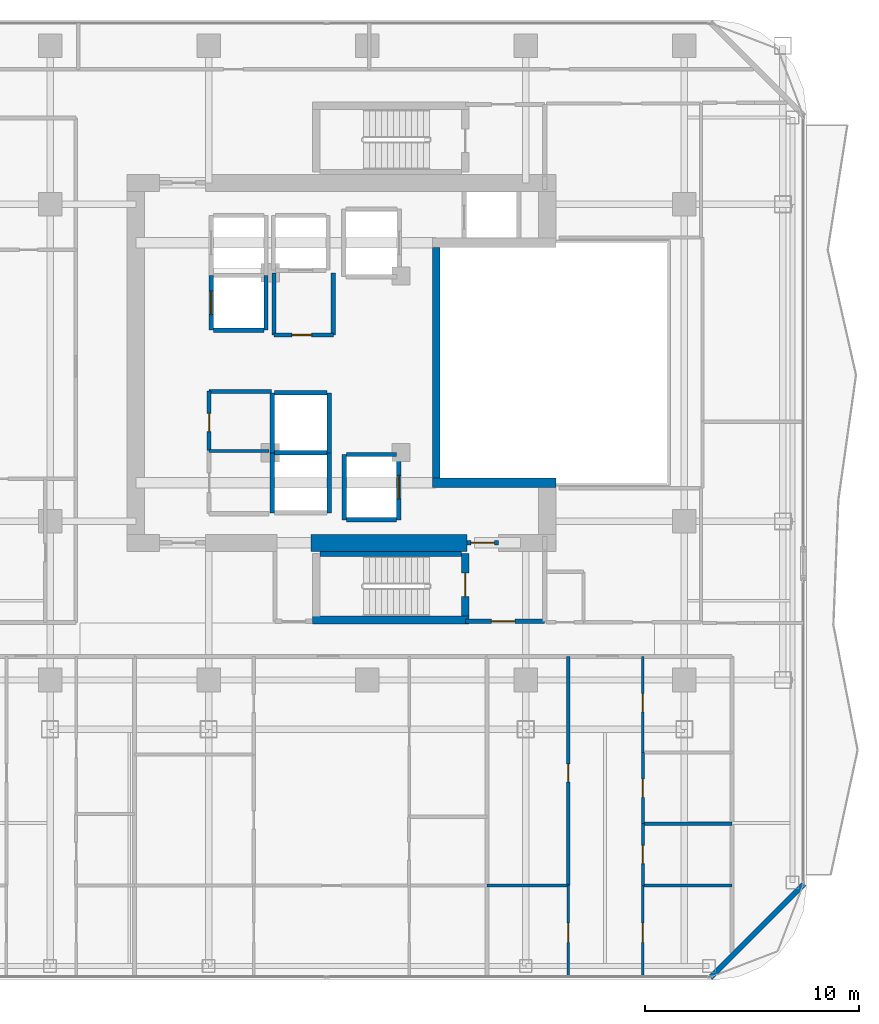
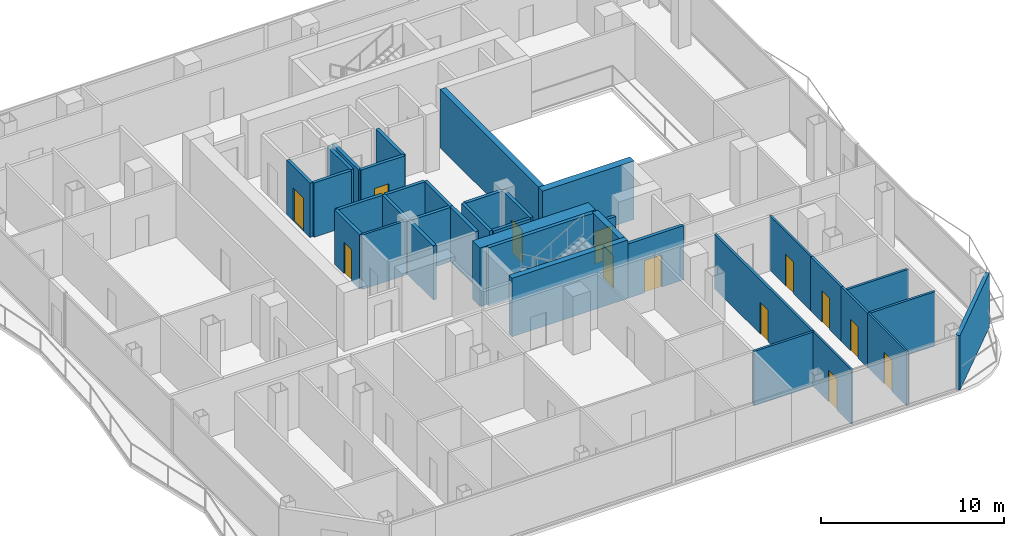
# One storey, part 18 of 23: 37 walls, 13 doors, 13 openings.
"""IFC4 building model written with IfcOpenShell, lengths in metres."""

from ifc_helpers import new_model, si_unit, direction, frame, frame_2d, origin, place, context, subcontext, project, spatial, rectangle, extrude, material, layer, layer_set, type_object, element, fill, save


model = new_model("IFC4")

# Units and contexts
model_context = context("Model", 3, precision=1e-05, world=origin(), true_north=direction((0.0, 1.0)))
body_context = subcontext(model_context, "Body", "Model", "MODEL_VIEW")
ifc_project = project(units=[si_unit("LENGTHUNIT", "METRE"), si_unit("AREAUNIT", "SQUARE_METRE"), si_unit("VOLUMEUNIT", "CUBIC_METRE"), si_unit("PLANEANGLEUNIT", "RADIAN"), si_unit("MASSUNIT", "GRAM", prefix="KILO")], contexts=[model_context])

# Site, building, storey
site_placement = place(None, origin())
site = spatial("IfcSite", under=ifc_project, at=site_placement, CompositionType="ELEMENT")
building_placement = place(site_placement, origin())
building = spatial("IfcBuilding", under=site, at=building_placement, Name="Khorvyn Point Tower", CompositionType="ELEMENT")
storey_placement = place(building_placement, frame((0.0, 0.0, 207.0)))
storey = spatial("IfcBuildingStorey", under=building, at=storey_placement, Name="L51", CompositionType="ELEMENT", Elevation=207.0)

# Walls
ifc_material_1 = material(Name="Pale anodised aluminium rainscreen on steel stud", Category="steel")
ifc_layer_1 = layer(ifc_material_1, 0.239990234375)
ifc_layer_set_1 = layer_set([ifc_layer_1], Name="Anodised Aluminium Insulated Corner Spandrel Wall 240")
wall_type_1 = type_object("IfcWallType", Name="Anodised Aluminium Insulated Corner Spandrel Wall 240", PredefinedType="SOLIDWALL", material=ifc_layer_set_1)
wall_1_placement = place(storey_placement, frame((20.392333984375, -24.3076171875, 0.0), z_axis=(0.0, 0.0, 1.0), x_axis=(-0.707106781187, -0.707106781187, 0.0)))
element("IfcWall", 1, at=wall_1_placement, inside=storey, type_object=wall_type_1, Name="L51 Rounded Corner Wall SE", PredefinedType="SOLIDWALL", context=body_context, shape_type="SweptSolid", body=[
    extrude(rectangle(XDim=6.200927734375, YDim=0.239990234375, at=frame_2d((3.1005859375, 0.0))), origin(), (0.0, 0.0, 1.0), 3.6201171875),
])
ifc_material_2 = material(Name="Concrete C40/50", Category="concrete")
ifc_layer_2 = layer(ifc_material_2, 0.449951171875)
ifc_layer_set_2 = layer_set([ifc_layer_2], Name="Concrete C40/50 Core Shear Wall 450")
wall_type_2 = type_object("IfcWallType", Name="Concrete C40/50 Core Shear Wall 450", PredefinedType="SHEAR", material=ifc_layer_set_2)
wall_2_placement = place(storey_placement, frame((3.044921875, -5.60009765625, 0.0), z_axis=(0.0, 0.0, 1.0), x_axis=(1.0, 0.0, 0.0)))
element("IfcWall", 2, at=wall_2_placement, inside=storey, type_object=wall_type_2, Name="Wall", PredefinedType="SHEAR", context=body_context, shape_type="SweptSolid", body=[
    extrude(rectangle(XDim=5.755126953125, YDim=0.449951171875, at=frame_2d((2.87744140625, 0.0))), origin(), (0.0, 0.0, 1.0), 3.89990234375),
])

# Wall, opening, door
ifc_layer_3 = layer(ifc_material_2, 0.199951171875)
ifc_layer_set_3 = layer_set([ifc_layer_3], Name="Concrete C40/50 Fire-Lobby Compartment Wall 200")
wall_type_3 = type_object("IfcWallType", Name="Concrete C40/50 Fire-Lobby Compartment Wall 200", PredefinedType="SOLIDWALL", material=ifc_layer_set_3)
wall_3_placement = place(storey_placement, frame((4.580078125, -12.06005859375, 0.0), z_axis=(0.0, 0.0, 1.0), x_axis=(1.0, 0.0, 0.0)))
wall_3 = element("IfcWall", 3, at=wall_3_placement, inside=storey, type_object=wall_type_3, Name="Wall", PredefinedType="SOLIDWALL", context=body_context, shape_type="SweptSolid", body=[
    extrude(rectangle(XDim=3.699951171875, YDim=0.199951171875, at=frame_2d((1.85009765625, 0.0))), origin(), (0.0, 0.0, 1.0), 3.6201171875),
])
opening_1_placement = place(wall_3_placement, frame((1.21240234375, 0.0, 0.0)))
opening_1 = element("IfcOpeningElement", 4, at=opening_1_placement, cuts=wall_3, Name="Opening ID-FL90", PredefinedType="OPENING", context=body_context, shape_type="SweptSolid", body=[
    extrude(rectangle(XDim=1.10009765625, YDim=2.14990234375, at=frame_2d((0.550048828125, 1.074951171875))), frame((0.0, 0.10986328125, 0.0), z_axis=(0.0, -1.0, 0.0), x_axis=(1.0, 0.0, 0.0)), (0.0, 0.0, 1.0), 0.219970703125),
])
ifc_material_3 = material(Name="Galvanised powder-coated steel", Category="steel")
door_type_1 = type_object("IfcDoorType", Name="Fire-Rated Steel Lobby and Stair Door 1100x2150", OperationType="NOTDEFINED", PredefinedType="DOOR", material=ifc_material_3)
door_1_placement = place(opening_1_placement, origin())
door_1 = element("IfcDoor", 5, at=door_1_placement, inside=storey, type_object=door_type_1, Name="Door", OperationType="SINGLE_SWING_LEFT", OverallHeight=2.14990234375, OverallWidth=1.10009765625, PredefinedType="DOOR", context=body_context, shape_type="SweptSolid", body=[
    extrude(rectangle(XDim=1.10009765625, YDim=2.14990234375, at=frame_2d((0.550048828125, 1.074951171875))), frame((0.0, 0.02490234375, 0.0), z_axis=(0.0, -1.0, 0.0), x_axis=(1.0, 0.0, 0.0)), (0.0, 0.0, 1.0), 0.050048828125),
])
fill(opening_1, door_1)

wall_4_placement = place(storey_placement, frame((4.64990234375, -8.39990234375, 0.0), z_axis=(0.0, 0.0, 1.0), x_axis=(1.0, 0.0, 0.0)))
wall_4 = element("IfcWall", 6, at=wall_4_placement, inside=storey, type_object=wall_type_3, Name="Wall", PredefinedType="SOLIDWALL", context=body_context, shape_type="SweptSolid", body=[
    extrude(rectangle(XDim=1.47021484375, YDim=0.199951171875, at=frame_2d((0.735107421875, 0.0))), origin(), (0.0, 0.0, 1.0), 2.760009765625),
])
opening_2_placement = place(wall_4_placement, frame((0.18505859375, 0.0, 0.0)))
opening_2 = element("IfcOpeningElement", 7, at=opening_2_placement, cuts=wall_4, Name="Opening ID-FL90", PredefinedType="OPENING", context=body_context, shape_type="SweptSolid", body=[
    extrude(rectangle(XDim=1.10009765625, YDim=2.14990234375, at=frame_2d((0.550048828125, 1.074951171875))), frame((0.0, 0.10986328125, 0.0), z_axis=(0.0, -1.0, 0.0), x_axis=(1.0, 0.0, 0.0)), (0.0, 0.0, 1.0), 0.219970703125),
])
door_2_placement = place(opening_2_placement, origin())
door_2 = element("IfcDoor", 8, at=door_2_placement, inside=storey, type_object=door_type_1, Name="Door", OperationType="SINGLE_SWING_RIGHT", OverallHeight=2.14990234375, OverallWidth=1.10009765625, PredefinedType="DOOR", context=body_context, shape_type="SweptSolid", body=[
    extrude(rectangle(XDim=1.10009765625, YDim=2.14990234375, at=frame_2d((0.550048828125, 1.074951171875))), frame((0.0, 0.02490234375, 0.0), z_axis=(0.0, -1.0, 0.0), x_axis=(1.0, 0.0, 0.0)), (0.0, 0.0, 1.0), 0.050048828125),
])
fill(opening_2, door_2)

wall_5_placement = place(storey_placement, frame((-7.3798828125, -4.080078125, 0.0), z_axis=(0.0, 0.0, 1.0), x_axis=(0.0, 1.0, 0.0)))
wall_5 = element("IfcWall", 9, at=wall_5_placement, inside=storey, type_object=wall_type_3, Name="Wall", PredefinedType="SOLIDWALL", context=body_context, shape_type="SweptSolid", body=[
    extrude(rectangle(XDim=2.760009765625, YDim=0.199951171875, at=frame_2d((1.3798828125, 0.0))), origin(), (0.0, 0.0, 1.0), 3.6201171875),
])
opening_3_placement = place(wall_5_placement, frame((0.86669921875, 0.0, 0.0)))
opening_3 = element("IfcOpeningElement", 10, at=opening_3_placement, cuts=wall_5, Name="Opening ID-WC85", PredefinedType="OPENING", context=body_context, shape_type="SweptSolid", body=[
    extrude(rectangle(XDim=0.85009765625, YDim=2.10009765625, at=frame_2d((0.425048828125, 1.050048828125))), frame((0.0, 0.10986328125, 0.0), z_axis=(0.0, -1.0, 0.0), x_axis=(1.0, 0.0, 0.0)), (0.0, 0.0, 1.0), 0.219970703125),
])
ifc_material_4 = material(Name="High-pressure laminate on moisture-resistant core", Category="wood")
door_type_2 = type_object("IfcDoorType", Name="Moisture-Resistant Accessible Washroom Door 850x2100", OperationType="NOTDEFINED", PredefinedType="DOOR", material=ifc_material_4)
door_3_placement = place(opening_3_placement, origin())
door_3 = element("IfcDoor", 11, at=door_3_placement, inside=storey, type_object=door_type_2, Name="Door", OperationType="SINGLE_SWING_RIGHT", OverallHeight=2.10009765625, OverallWidth=0.85009765625, PredefinedType="DOOR", context=body_context, shape_type="SweptSolid", body=[
    extrude(rectangle(XDim=0.85009765625, YDim=2.10009765625, at=frame_2d((0.425048828125, 1.050048828125))), frame((0.0, 0.02490234375, 0.0), z_axis=(0.0, -1.0, 0.0), x_axis=(1.0, 0.0, 0.0)), (0.0, 0.0, 1.0), 0.050048828125),
])
fill(opening_3, door_3)

wall_6_placement = place(storey_placement, frame((-4.35009765625, 1.300048828125, 0.0), z_axis=(0.0, 0.0, 1.0), x_axis=(1.0, 0.0, 0.0)))
wall_6 = element("IfcWall", 12, at=wall_6_placement, inside=storey, type_object=wall_type_3, Name="Wall", PredefinedType="SOLIDWALL", context=body_context, shape_type="SweptSolid", body=[
    extrude(rectangle(XDim=2.77001953125, YDim=0.199951171875, at=frame_2d((1.385009765625, 0.0))), origin(), (0.0, 0.0, 1.0), 3.6201171875),
])
opening_4_placement = place(wall_6_placement, frame((0.840087890625, 0.0, 0.0)))
opening_4 = element("IfcOpeningElement", 13, at=opening_4_placement, cuts=wall_6, Name="Opening ID-RS60", PredefinedType="OPENING", context=body_context, shape_type="SweptSolid", body=[
    extrude(rectangle(XDim=0.919921875, YDim=2.10009765625, at=frame_2d((0.4599609375, 1.050048828125))), frame((0.0, 0.10986328125, 0.0), z_axis=(0.0, -1.0, 0.0), x_axis=(1.0, 0.0, 0.0)), (0.0, 0.0, 1.0), 0.219970703125),
])
door_type_3 = type_object("IfcDoorType", Name="Fire-Rated Riser and Store Steel Door 920x2100", OperationType="NOTDEFINED", PredefinedType="DOOR", material=ifc_material_3)
door_4_placement = place(opening_4_placement, origin())
door_4 = element("IfcDoor", 14, at=door_4_placement, inside=storey, type_object=door_type_3, Name="Door", OperationType="SINGLE_SWING_LEFT", OverallHeight=2.10009765625, OverallWidth=0.919921875, PredefinedType="DOOR", context=body_context, shape_type="SweptSolid", body=[
    extrude(rectangle(XDim=0.919921875, YDim=2.10009765625, at=frame_2d((0.4599609375, 1.050048828125))), frame((0.0, 0.02490234375, 0.0), z_axis=(0.0, -1.0, 0.0), x_axis=(1.0, 0.0, 0.0)), (0.0, 0.0, 1.0), 0.050048828125),
])
fill(opening_4, door_4)

# Walls
wall_7_placement = place(storey_placement, frame((-7.3798828125, -1.340087890625, 0.0), z_axis=(0.0, 0.0, 1.0), x_axis=(1.0, 0.0, 0.0)))
element("IfcWall", 15, at=wall_7_placement, inside=storey, type_object=wall_type_3, Name="Wall", PredefinedType="SOLIDWALL", context=body_context, shape_type="SweptSolid", body=[
    extrude(rectangle(XDim=2.909912109375, YDim=0.199951171875, at=frame_2d((1.455078125, 0.0))), origin(), (0.0, 0.0, 1.0), 3.6201171875),
])
for number, where, z_axis, x_axis, name in (
    (16, (-4.35009765625, 1.300048828125, 0.0), (0.0, 0.0, 1.0), (0.0, 1.0, 0.0), "Wall"),
    (17, (-1.580078125, 1.300048828125, 0.0), (0.0, 0.0, 1.0), (0.0, 1.0, 0.0), "Wall"),
):
    element("IfcWall", number, at=place(storey_placement, frame(where, z_axis=z_axis, x_axis=x_axis)), inside=storey, type_object=wall_type_3, Name=name, PredefinedType="SOLIDWALL", context=body_context, shape_type="SweptSolid", body=[
        extrude(rectangle(XDim=2.89990234375, YDim=0.199951171875, at=frame_2d((1.449951171875, 0.0))), origin(), (0.0, 0.0, 1.0), 3.6201171875),
    ])
ifc_layer_4 = layer(ifc_material_2, 0.25)
ifc_layer_set_4 = layer_set([ifc_layer_4], Name="Concrete C40/50 Stair Inner Cheek Structural Wall 250")
wall_type_4 = type_object("IfcWallType", Name="Concrete C40/50 Stair Inner Cheek Structural Wall 250", PredefinedType="SHEAR", material=ifc_layer_set_4)
wall_8_placement = place(storey_placement, frame((-2.199951171875, -8.91259765625, 0.0), z_axis=(0.0, 0.0, 1.0), x_axis=(1.0, 0.0, 0.0)))
element("IfcWall", 18, at=wall_8_placement, inside=storey, type_object=wall_type_4, Name="Wall", PredefinedType="SHEAR", context=body_context, shape_type="SweptSolid", body=[
    extrude(rectangle(XDim=6.599853515625, YDim=0.22509765625, at=frame_2d((3.2998046875, 0.0))), origin(), (0.0, 0.0, 1.0), 3.89990234375),
])
ifc_layer_5 = layer(ifc_material_2, 0.35009765625)
ifc_layer_set_5 = layer_set([ifc_layer_5], Name="Concrete C40/50 Stair Shaft Structural Wall 350")
wall_type_5 = type_object("IfcWallType", Name="Concrete C40/50 Stair Shaft Structural Wall 350", PredefinedType="SHEAR", material=ifc_layer_set_5)
wall_9_placement = place(storey_placement, frame((3.219970703125, -5.375, 0.0), z_axis=(0.0, 0.0, 1.0), x_axis=(0.0, 1.0, 0.0)))
element("IfcWall", 19, at=wall_9_placement, inside=storey, type_object=wall_type_5, Name="Wall", PredefinedType="SHEAR", context=body_context, shape_type="SweptSolid", body=[
    extrude(rectangle(XDim=10.75, YDim=0.35009765625, at=frame_2d((5.375, 0.0))), origin(), (0.0, 0.0, 1.0), 3.89990234375),
])
wall_10_placement = place(storey_placement, frame((-2.554931640625, -12.0, 0.0), z_axis=(0.0, 0.0, 1.0), x_axis=(1.0, 0.0, 0.0)))
element("IfcWall", 20, at=wall_10_placement, inside=storey, type_object=wall_type_5, Name="L51 ST-01 South Shaft Wall", PredefinedType="SHEAR", context=body_context, shape_type="SweptSolid", body=[
    extrude(rectangle(XDim=7.309814453125, YDim=0.35009765625, at=frame_2d((3.65478515625, 0.0))), origin(), (0.0, 0.0, 1.0), 3.89990234375),
])

# Wall, opening, door
wall_11_placement = place(storey_placement, frame((4.580078125, -8.89990234375, 0.0), z_axis=(0.0, 0.0, 1.0), x_axis=(0.0, -1.0, 0.0)))
wall_11 = element("IfcWall", 21, at=wall_11_placement, inside=storey, type_object=wall_type_5, Name="L51 ST-01 East Landing Door Wall", PredefinedType="SHEAR", context=body_context, shape_type="SweptSolid", body=[
    extrude(rectangle(XDim=2.925048828125, YDim=0.35009765625, at=frame_2d((1.46240234375, 0.0))), origin(), (0.0, 0.0, 1.0), 3.89990234375),
])
opening_5_placement = place(wall_11_placement, frame((0.91259765625, 0.0, 0.0)))
opening_5 = element("IfcOpeningElement", 22, at=opening_5_placement, cuts=wall_11, Name="Opening ID-FL90", PredefinedType="OPENING", context=body_context, shape_type="SweptSolid", body=[
    extrude(rectangle(XDim=1.10009765625, YDim=2.14990234375, at=frame_2d((0.550048828125, 1.074951171875))), frame((0.0, 0.18505859375, 0.0), z_axis=(0.0, -1.0, 0.0), x_axis=(1.0, 0.0, 0.0)), (0.0, 0.0, 1.0), 0.3701171875),
])
door_5_placement = place(opening_5_placement, origin())
door_5 = element("IfcDoor", 23, at=door_5_placement, inside=storey, type_object=door_type_1, Name="L51 ST-01 Smokeproof Landing Door", OperationType="SINGLE_SWING_LEFT", OverallHeight=2.14990234375, OverallWidth=1.10009765625, PredefinedType="DOOR", context=body_context, shape_type="SweptSolid", body=[
    extrude(rectangle(XDim=1.10009765625, YDim=2.14990234375, at=frame_2d((0.550048828125, 1.074951171875))), frame((0.0, 0.02490234375, 0.0), z_axis=(0.0, -1.0, 0.0), x_axis=(1.0, 0.0, 0.0)), (0.0, 0.0, 1.0), 0.050048828125),
])
fill(opening_5, door_5)

ifc_layer_6 = layer(ifc_material_2, 0.199951171875)
ifc_layer_set_6 = layer_set([ifc_layer_6], Name="Concrete C40/50 Structural Hoistway and Stair Shaft Wall 200")
wall_type_6 = type_object("IfcWallType", Name="Concrete C40/50 Structural Hoistway and Stair Shaft Wall 200", PredefinedType="SHEAR", material=ifc_layer_set_6)
wall_12_placement = place(storey_placement, frame((-7.27490234375, 1.52490234375, 0.0), z_axis=(0.0, 0.0, 1.0), x_axis=(0.0, 1.0, 0.0)))
wall_12 = element("IfcWall", 24, at=wall_12_placement, inside=storey, type_object=wall_type_6, Name="Wall", PredefinedType="SHEAR", context=body_context, shape_type="SweptSolid", body=[
    extrude(rectangle(XDim=2.550048828125, YDim=0.199951171875, at=frame_2d((1.27490234375, 0.0))), origin(), (0.0, 0.0, 1.0), 3.6201171875),
])
opening_6_placement = place(wall_12_placement, frame((0.72509765625, 0.0, 0.0)))
opening_6 = element("IfcOpeningElement", 25, at=opening_6_placement, cuts=wall_12, Name="Opening LD-1122", PredefinedType="OPENING", context=body_context, shape_type="SweptSolid", body=[
    extrude(rectangle(XDim=1.10009765625, YDim=2.199951171875, at=frame_2d((0.550048828125, 1.10009765625))), frame((0.0, 0.10986328125, 0.0), z_axis=(0.0, -1.0, 0.0), x_axis=(1.0, 0.0, 0.0)), (0.0, 0.0, 1.0), 0.219970703125),
])
ifc_material_5 = material(Name="Stainless steel 1.4301", Category="steel")
door_type_4 = type_object("IfcDoorType", Name="Stainless Steel Automatic Sliding Lift Landing Door 1100x2200", OperationType="SLIDING_TO_LEFT", PredefinedType="DOOR", material=ifc_material_5)
door_6_placement = place(opening_6_placement, origin())
door_6 = element("IfcDoor", 26, at=door_6_placement, inside=storey, type_object=door_type_4, Name="L51 RM-01 Sliding Lift Landing Door", OperationType="SLIDING_TO_LEFT", OverallHeight=2.199951171875, OverallWidth=1.10009765625, PredefinedType="DOOR", context=body_context, shape_type="SweptSolid", body=[
    extrude(rectangle(XDim=1.10009765625, YDim=2.199951171875, at=frame_2d((0.550048828125, 1.10009765625))), frame((0.0, 0.02490234375, 0.0), z_axis=(0.0, -1.0, 0.0), x_axis=(1.0, 0.0, 0.0)), (0.0, 0.0, 1.0), 0.050048828125),
])
fill(opening_6, door_6)

# Walls
wall_13_placement = place(storey_placement, frame((-4.72509765625, 1.52490234375, 0.0), z_axis=(0.0, 0.0, 1.0), x_axis=(0.0, 1.0, 0.0)))
element("IfcWall", 27, at=wall_13_placement, inside=storey, type_object=wall_type_6, Name="Wall", PredefinedType="SHEAR", context=body_context, shape_type="SweptSolid", body=[
    extrude(rectangle(XDim=2.550048828125, YDim=0.199951171875, at=frame_2d((1.27490234375, 0.0))), origin(), (0.0, 0.0, 1.0), 3.6201171875),
])
wall_14_placement = place(storey_placement, frame((-7.175048828125, 1.52490234375, 0.0), z_axis=(0.0, 0.0, 1.0), x_axis=(1.0, 0.0, 0.0)))
element("IfcWall", 28, at=wall_14_placement, inside=storey, type_object=wall_type_6, Name="Wall", PredefinedType="SHEAR", context=body_context, shape_type="SweptSolid", body=[
    extrude(rectangle(XDim=2.35009765625, YDim=0.199951171875, at=frame_2d((1.175048828125, 0.0))), origin(), (0.0, 0.0, 1.0), 3.6201171875),
])
for number, where, z_axis, x_axis, name in (
    (29, (-4.425048828125, -7.0, 0.0), (0.0, 0.0, 1.0), (0.0, 1.0, 0.0), "Wall"),
    (30, (-1.77490234375, -7.0, 0.0), (0.0, 0.0, 1.0), (0.0, 1.0, 0.0), "Wall"),
):
    element("IfcWall", number, at=place(storey_placement, frame(where, z_axis=z_axis, x_axis=x_axis)), inside=storey, type_object=wall_type_6, Name=name, PredefinedType="SHEAR", context=body_context, shape_type="SweptSolid", body=[
        extrude(rectangle(XDim=2.800048828125, YDim=0.199951171875, at=frame_2d((1.39990234375, 0.0))), origin(), (0.0, 0.0, 1.0), 3.6201171875),
    ])
wall_15_placement = place(storey_placement, frame((-4.324951171875, -4.199951171875, 0.0), z_axis=(0.0, 0.0, 1.0), x_axis=(1.0, 0.0, 0.0)))
element("IfcWall", 31, at=wall_15_placement, inside=storey, type_object=wall_type_6, Name="Wall", PredefinedType="SHEAR", context=body_context, shape_type="SweptSolid", body=[
    extrude(rectangle(XDim=2.449951171875, YDim=0.199951171875, at=frame_2d((1.22509765625, 0.0))), origin(), (0.0, 0.0, 1.0), 3.6201171875),
])
for number, where, z_axis, x_axis, name in (
    (32, (-4.425048828125, -4.199951171875, 0.0), (0.0, 0.0, 1.0), (0.0, 1.0, 0.0), "Wall"),
    (33, (-1.77490234375, -4.199951171875, 0.0), (0.0, 0.0, 1.0), (0.0, 1.0, 0.0), "Wall"),
):
    element("IfcWall", number, at=place(storey_placement, frame(where, z_axis=z_axis, x_axis=x_axis)), inside=storey, type_object=wall_type_6, Name=name, PredefinedType="SHEAR", context=body_context, shape_type="SweptSolid", body=[
        extrude(rectangle(XDim=2.800048828125, YDim=0.199951171875, at=frame_2d((1.39990234375, 0.0))), origin(), (0.0, 0.0, 1.0), 3.6201171875),
    ])
wall_16_placement = place(storey_placement, frame((-4.324951171875, -1.39990234375, 0.0), z_axis=(0.0, 0.0, 1.0), x_axis=(1.0, 0.0, 0.0)))
element("IfcWall", 34, at=wall_16_placement, inside=storey, type_object=wall_type_6, Name="Wall", PredefinedType="SHEAR", context=body_context, shape_type="SweptSolid", body=[
    extrude(rectangle(XDim=2.449951171875, YDim=0.199951171875, at=frame_2d((1.22509765625, 0.0))), origin(), (0.0, 0.0, 1.0), 3.6201171875),
])
wall_17_placement = place(storey_placement, frame((-1.074951171875, -7.324951171875, 0.0), z_axis=(0.0, 0.0, 1.0), x_axis=(0.0, 1.0, 0.0)))
element("IfcWall", 35, at=wall_17_placement, inside=storey, type_object=wall_type_6, Name="Wall", PredefinedType="SHEAR", context=body_context, shape_type="SweptSolid", body=[
    extrude(rectangle(XDim=3.050048828125, YDim=0.199951171875, at=frame_2d((1.52490234375, 0.0))), origin(), (0.0, 0.0, 1.0), 3.6201171875),
])

# Wall, opening, door
wall_18_placement = place(storey_placement, frame((1.47509765625, -7.324951171875, 0.0), z_axis=(0.0, 0.0, 1.0), x_axis=(0.0, 1.0, 0.0)))
wall_18 = element("IfcWall", 36, at=wall_18_placement, inside=storey, type_object=wall_type_6, Name="Wall", PredefinedType="SHEAR", context=body_context, shape_type="SweptSolid", body=[
    extrude(rectangle(XDim=3.050048828125, YDim=0.199951171875, at=frame_2d((1.52490234375, 0.0))), origin(), (0.0, 0.0, 1.0), 3.6201171875),
])
opening_7_placement = place(wall_18_placement, frame((0.97509765625, 0.0, 0.0)))
opening_7 = element("IfcOpeningElement", 37, at=opening_7_placement, cuts=wall_18, Name="Opening LD-1122", PredefinedType="OPENING", context=body_context, shape_type="SweptSolid", body=[
    extrude(rectangle(XDim=1.10009765625, YDim=2.199951171875, at=frame_2d((0.550048828125, 1.10009765625))), frame((0.0, 0.10986328125, 0.0), z_axis=(0.0, -1.0, 0.0), x_axis=(1.0, 0.0, 0.0)), (0.0, 0.0, 1.0), 0.219970703125),
])
door_7_placement = place(opening_7_placement, origin())
door_7 = element("IfcDoor", 38, at=door_7_placement, inside=storey, type_object=door_type_4, Name="L51 FF-01 Sliding Lift Landing Door", OperationType="SLIDING_TO_LEFT", OverallHeight=2.199951171875, OverallWidth=1.10009765625, PredefinedType="DOOR", context=body_context, shape_type="SweptSolid", body=[
    extrude(rectangle(XDim=1.10009765625, YDim=2.199951171875, at=frame_2d((0.550048828125, 1.10009765625))), frame((0.0, 0.02490234375, 0.0), z_axis=(0.0, -1.0, 0.0), x_axis=(1.0, 0.0, 0.0)), (0.0, 0.0, 1.0), 0.050048828125),
])
fill(opening_7, door_7)

# Walls
for number, where, z_axis, x_axis, name in (
    (39, (-0.97509765625, -7.324951171875, 0.0), (0.0, 0.0, 1.0), (1.0, 0.0, 0.0), "Wall"),
    (40, (-0.97509765625, -4.27490234375, 0.0), (0.0, 0.0, 1.0), (1.0, 0.0, 0.0), "Wall"),
):
    element("IfcWall", number, at=place(storey_placement, frame(where, z_axis=z_axis, x_axis=x_axis)), inside=storey, type_object=wall_type_6, Name=name, PredefinedType="SHEAR", context=body_context, shape_type="SweptSolid", body=[
        extrude(rectangle(XDim=2.35009765625, YDim=0.199951171875, at=frame_2d((1.175048828125, 0.0))), origin(), (0.0, 0.0, 1.0), 3.6201171875),
    ])
ifc_material_6 = material(Name="Concrete C45/55", Category="concrete")
ifc_layer_7 = layer(ifc_material_6, 0.800048828125)
ifc_layer_set_7 = layer_set([ifc_layer_7], Name="Concrete C45/55 Core Shear Wall 800")
wall_type_7 = type_object("IfcWallType", Name="Concrete C45/55 Core Shear Wall 800", PredefinedType="SHEAR", material=ifc_layer_set_7)
wall_19_placement = place(storey_placement, frame((-2.6201171875, -8.39990234375, 0.0), z_axis=(0.0, 0.0, 1.0), x_axis=(1.0, 0.0, 0.0)))
element("IfcWall", 41, at=wall_19_placement, inside=storey, type_object=wall_type_7, Name="Wall", PredefinedType="SHEAR", context=body_context, shape_type="SweptSolid", body=[
    extrude(rectangle(XDim=7.27001953125, YDim=0.800048828125, at=frame_2d((3.635009765625, 0.0))), origin(), (0.0, 0.0, 1.0), 3.89990234375),
])

# Wall, opening, door
ifc_material_7 = material(Name="Gypsum plasterboard on steel stud", Category="steel")
ifc_layer_8 = layer(ifc_material_7, 0.1201171875)
ifc_layer_set_8 = layer_set([ifc_layer_8], Name="Gypsum Acoustic Stud Room Partition Wall 120")
wall_type_8 = type_object("IfcWallType", Name="Gypsum Acoustic Stud Room Partition Wall 120", PredefinedType="PARTITIONING", material=ifc_layer_set_8)
wall_20_placement = place(storey_placement, frame((9.385986328125, -28.6298828125, 0.0), z_axis=(0.0, 0.0, 1.0), x_axis=(0.0, 1.0, 0.0)))
wall_20 = element("IfcWall", 42, at=wall_20_placement, inside=storey, type_object=wall_type_8, Name="Wall", PredefinedType="PARTITIONING", context=body_context, shape_type="SweptSolid", body=[
    extrude(rectangle(XDim=4.239990234375, YDim=0.1201171875, at=frame_2d((2.1201171875, 0.0))), origin(), (0.0, 0.0, 1.0), 3.6201171875),
])
opening_8_placement = place(wall_20_placement, frame((1.581298828125, 0.0, 0.0)))
opening_8 = element("IfcOpeningElement", 43, at=opening_8_placement, cuts=wall_20, Name="Opening ID-RM90", PredefinedType="OPENING", context=body_context, shape_type="SweptSolid", body=[
    extrude(rectangle(XDim=0.89990234375, YDim=2.10009765625, at=frame_2d((0.449951171875, 1.050048828125))), frame((0.0, 0.070068359375, 0.0), z_axis=(0.0, -1.0, 0.0), x_axis=(1.0, 0.0, 0.0)), (0.0, 0.0, 1.0), 0.14013671875),
])
ifc_material_8 = material(Name="Engineered oak veneer timber", Category="wood")
door_type_5 = type_object("IfcDoorType", Name="Flush Engineered Timber Room Door 900x2100", OperationType="NOTDEFINED", PredefinedType="DOOR", material=ifc_material_8)
door_8_placement = place(opening_8_placement, origin())
door_8 = element("IfcDoor", 44, at=door_8_placement, inside=storey, type_object=door_type_5, Name="Door", OperationType="SINGLE_SWING_RIGHT", OverallHeight=2.10009765625, OverallWidth=0.89990234375, PredefinedType="DOOR", context=body_context, shape_type="SweptSolid", body=[
    extrude(rectangle(XDim=0.89990234375, YDim=2.10009765625, at=frame_2d((0.449951171875, 1.050048828125))), frame((0.0, 0.02490234375, 0.0), z_axis=(0.0, -1.0, 0.0), x_axis=(1.0, 0.0, 0.0)), (0.0, 0.0, 1.0), 0.050048828125),
])
fill(opening_8, door_8)

wall_21_placement = place(storey_placement, frame((12.865966796875, -18.18994140625, 0.0), z_axis=(0.0, 0.0, 1.0), x_axis=(0.0, 1.0, 0.0)))
wall_21 = element("IfcWall", 45, at=wall_21_placement, inside=storey, type_object=wall_type_8, Name="Wall", PredefinedType="PARTITIONING", context=body_context, shape_type="SweptSolid", body=[
    extrude(rectangle(XDim=4.489990234375, YDim=0.1201171875, at=frame_2d((2.2451171875, 0.0))), origin(), (0.0, 0.0, 1.0), 3.6201171875),
])
opening_9_placement = place(wall_21_placement, frame((1.907470703125, 0.0, 0.0)))
opening_9 = element("IfcOpeningElement", 46, at=opening_9_placement, cuts=wall_21, Name="Opening ID-WC85", PredefinedType="OPENING", context=body_context, shape_type="SweptSolid", body=[
    extrude(rectangle(XDim=0.85009765625, YDim=2.10009765625, at=frame_2d((0.425048828125, 1.050048828125))), frame((0.0, 0.070068359375, 0.0), z_axis=(0.0, -1.0, 0.0), x_axis=(1.0, 0.0, 0.0)), (0.0, 0.0, 1.0), 0.14013671875),
])
door_9_placement = place(opening_9_placement, origin())
door_9 = element("IfcDoor", 47, at=door_9_placement, inside=storey, type_object=door_type_2, Name="Door", OperationType="SINGLE_SWING_LEFT", OverallHeight=2.10009765625, OverallWidth=0.85009765625, PredefinedType="DOOR", context=body_context, shape_type="SweptSolid", body=[
    extrude(rectangle(XDim=0.85009765625, YDim=2.10009765625, at=frame_2d((0.425048828125, 1.050048828125))), frame((0.0, 0.02490234375, 0.0), z_axis=(0.0, -1.0, 0.0), x_axis=(1.0, 0.0, 0.0)), (0.0, 0.0, 1.0), 0.050048828125),
])
fill(opening_9, door_9)

wall_22_placement = place(storey_placement, frame((12.865966796875, -28.6298828125, 0.0), z_axis=(0.0, 0.0, 1.0), x_axis=(0.0, 1.0, 0.0)))
wall_22 = element("IfcWall", 48, at=wall_22_placement, inside=storey, type_object=wall_type_8, Name="Wall", PredefinedType="PARTITIONING", context=body_context, shape_type="SweptSolid", body=[
    extrude(rectangle(XDim=4.239990234375, YDim=0.1201171875, at=frame_2d((2.1201171875, 0.0))), origin(), (0.0, 0.0, 1.0), 3.6201171875),
])
opening_10_placement = place(wall_22_placement, frame((1.581298828125, 0.0, 0.0)))
opening_10 = element("IfcOpeningElement", 49, at=opening_10_placement, cuts=wall_22, Name="Opening ID-RM90", PredefinedType="OPENING", context=body_context, shape_type="SweptSolid", body=[
    extrude(rectangle(XDim=0.89990234375, YDim=2.10009765625, at=frame_2d((0.449951171875, 1.050048828125))), frame((0.0, 0.070068359375, 0.0), z_axis=(0.0, -1.0, 0.0), x_axis=(1.0, 0.0, 0.0)), (0.0, 0.0, 1.0), 0.14013671875),
])
door_10_placement = place(opening_10_placement, origin())
door_10 = element("IfcDoor", 50, at=door_10_placement, inside=storey, type_object=door_type_5, Name="Door", OperationType="SINGLE_SWING_RIGHT", OverallHeight=2.10009765625, OverallWidth=0.89990234375, PredefinedType="DOOR", context=body_context, shape_type="SweptSolid", body=[
    extrude(rectangle(XDim=0.89990234375, YDim=2.10009765625, at=frame_2d((0.449951171875, 1.050048828125))), frame((0.0, 0.02490234375, 0.0), z_axis=(0.0, -1.0, 0.0), x_axis=(1.0, 0.0, 0.0)), (0.0, 0.0, 1.0), 0.050048828125),
])
fill(opening_10, door_10)

ifc_material_9 = material(Name="Moisture-resistant gypsum and cement board", Category="gypsum")
ifc_layer_9 = layer(ifc_material_9, 0.14990234375)
ifc_layer_set_9 = layer_set([ifc_layer_9], Name="Moisture-Resistant Wet-Room Partition Wall 150")
wall_type_9 = type_object("IfcWallType", Name="Moisture-Resistant Wet-Room Partition Wall 150", PredefinedType="PARTITIONING", material=ifc_layer_set_9)
wall_23_placement = place(storey_placement, frame((9.385986328125, -24.389892578125, 0.0), z_axis=(0.0, 0.0, 1.0), x_axis=(0.0, 1.0, 0.0)))
wall_23 = element("IfcWall", 51, at=wall_23_placement, inside=storey, type_object=wall_type_9, Name="Wall", PredefinedType="PARTITIONING", context=body_context, shape_type="SweptSolid", body=[
    extrude(rectangle(XDim=10.68994140625, YDim=0.14990234375, at=frame_2d((5.344970703125, 0.0))), origin(), (0.0, 0.0, 1.0), 3.6201171875),
])
opening_11_placement = place(wall_23_placement, frame((4.830078125, 0.0, 0.0)))
opening_11 = element("IfcOpeningElement", 52, at=opening_11_placement, cuts=wall_23, Name="Opening ID-WC85", PredefinedType="OPENING", context=body_context, shape_type="SweptSolid", body=[
    extrude(rectangle(XDim=0.85009765625, YDim=2.10009765625, at=frame_2d((0.425048828125, 1.050048828125))), frame((0.0, 0.0849609375, 0.0), z_axis=(0.0, -1.0, 0.0), x_axis=(1.0, 0.0, 0.0)), (0.0, 0.0, 1.0), 0.169921875),
])
door_11_placement = place(opening_11_placement, origin())
door_11 = element("IfcDoor", 53, at=door_11_placement, inside=storey, type_object=door_type_2, Name="Door", OperationType="SINGLE_SWING_LEFT", OverallHeight=2.10009765625, OverallWidth=0.85009765625, PredefinedType="DOOR", context=body_context, shape_type="SweptSolid", body=[
    extrude(rectangle(XDim=0.85009765625, YDim=2.10009765625, at=frame_2d((0.425048828125, 1.050048828125))), frame((0.0, 0.02490234375, 0.0), z_axis=(0.0, -1.0, 0.0), x_axis=(1.0, 0.0, 0.0)), (0.0, 0.0, 1.0), 0.050048828125),
])
fill(opening_11, door_11)

wall_24_placement = place(storey_placement, frame((12.865966796875, -24.389892578125, 0.0), z_axis=(0.0, 0.0, 1.0), x_axis=(0.0, 1.0, 0.0)))
wall_24 = element("IfcWall", 54, at=wall_24_placement, inside=storey, type_object=wall_type_9, Name="Wall", PredefinedType="PARTITIONING", context=body_context, shape_type="SweptSolid", body=[
    extrude(rectangle(XDim=2.885986328125, YDim=0.14990234375, at=frame_2d((1.44287109375, 0.0))), origin(), (0.0, 0.0, 1.0), 3.6201171875),
])
opening_12_placement = place(wall_24_placement, frame((1.01806640625, 0.0, 0.0)))
opening_12 = element("IfcOpeningElement", 55, at=opening_12_placement, cuts=wall_24, Name="Opening ID-WC85", PredefinedType="OPENING", context=body_context, shape_type="SweptSolid", body=[
    extrude(rectangle(XDim=0.85009765625, YDim=2.10009765625, at=frame_2d((0.425048828125, 1.050048828125))), frame((0.0, 0.0849609375, 0.0), z_axis=(0.0, -1.0, 0.0), x_axis=(1.0, 0.0, 0.0)), (0.0, 0.0, 1.0), 0.169921875),
])
door_12_placement = place(opening_12_placement, origin())
door_12 = element("IfcDoor", 56, at=door_12_placement, inside=storey, type_object=door_type_2, Name="Door", OperationType="SINGLE_SWING_LEFT", OverallHeight=2.10009765625, OverallWidth=0.85009765625, PredefinedType="DOOR", context=body_context, shape_type="SweptSolid", body=[
    extrude(rectangle(XDim=0.85009765625, YDim=2.10009765625, at=frame_2d((0.425048828125, 1.050048828125))), frame((0.0, 0.02490234375, 0.0), z_axis=(0.0, -1.0, 0.0), x_axis=(1.0, 0.0, 0.0)), (0.0, 0.0, 1.0), 0.050048828125),
])
fill(opening_12, door_12)

wall_25_placement = place(storey_placement, frame((12.865966796875, -21.50390625, 0.0), z_axis=(0.0, 0.0, 1.0), x_axis=(0.0, 1.0, 0.0)))
wall_25 = element("IfcWall", 57, at=wall_25_placement, inside=storey, type_object=wall_type_9, Name="Wall", PredefinedType="PARTITIONING", context=body_context, shape_type="SweptSolid", body=[
    extrude(rectangle(XDim=3.31396484375, YDim=0.14990234375, at=frame_2d((1.656982421875, 0.0))), origin(), (0.0, 0.0, 1.0), 3.6201171875),
])
opening_13_placement = place(wall_25_placement, frame((1.23193359375, 0.0, 0.0)))
opening_13 = element("IfcOpeningElement", 58, at=opening_13_placement, cuts=wall_25, Name="Opening ID-WC85", PredefinedType="OPENING", context=body_context, shape_type="SweptSolid", body=[
    extrude(rectangle(XDim=0.85009765625, YDim=2.10009765625, at=frame_2d((0.425048828125, 1.050048828125))), frame((0.0, 0.0849609375, 0.0), z_axis=(0.0, -1.0, 0.0), x_axis=(1.0, 0.0, 0.0)), (0.0, 0.0, 1.0), 0.169921875),
])
door_13_placement = place(opening_13_placement, origin())
door_13 = element("IfcDoor", 59, at=door_13_placement, inside=storey, type_object=door_type_2, Name="Door", OperationType="SINGLE_SWING_RIGHT", OverallHeight=2.10009765625, OverallWidth=0.85009765625, PredefinedType="DOOR", context=body_context, shape_type="SweptSolid", body=[
    extrude(rectangle(XDim=0.85009765625, YDim=2.10009765625, at=frame_2d((0.425048828125, 1.050048828125))), frame((0.0, 0.02490234375, 0.0), z_axis=(0.0, -1.0, 0.0), x_axis=(1.0, 0.0, 0.0)), (0.0, 0.0, 1.0), 0.050048828125),
])
fill(opening_13, door_13)

# Walls
wall_26_placement = place(storey_placement, frame((-7.3798828125, -4.110107421875, 0.0), z_axis=(0.0, 0.0, 1.0), x_axis=(1.0, 0.0, 0.0)))
element("IfcWall", 60, at=wall_26_placement, inside=storey, type_object=wall_type_9, Name="Wall", PredefinedType="PARTITIONING", context=body_context, shape_type="SweptSolid", body=[
    extrude(rectangle(XDim=2.7998046875, YDim=0.14990234375, at=frame_2d((1.39990234375, 0.0))), origin(), (0.0, 0.0, 1.0), 3.6201171875),
])
wall_27_placement = place(storey_placement, frame((5.59912109375, -24.389892578125, 0.0), z_axis=(0.0, 0.0, 1.0), x_axis=(1.0, 0.0, 0.0)))
element("IfcWall", 61, at=wall_27_placement, inside=storey, type_object=wall_type_9, Name="Wall", PredefinedType="PARTITIONING", context=body_context, shape_type="SweptSolid", body=[
    extrude(rectangle(XDim=3.786865234375, YDim=0.14990234375, at=frame_2d((1.8935546875, 0.0))), origin(), (0.0, 0.0, 1.0), 3.6201171875),
])
wall_28_placement = place(storey_placement, frame((12.865966796875, -21.50390625, 0.0), z_axis=(0.0, 0.0, 1.0), x_axis=(1.0, 0.0, 0.0)))
element("IfcWall", 62, at=wall_28_placement, inside=storey, type_object=wall_type_9, Name="Wall", PredefinedType="PARTITIONING", context=body_context, shape_type="SweptSolid", body=[
    extrude(rectangle(XDim=4.154052734375, YDim=0.14990234375, at=frame_2d((2.0771484375, 0.0))), origin(), (0.0, 0.0, 1.0), 3.360107421875),
])
wall_29_placement = place(storey_placement, frame((12.865966796875, -24.389892578125, 0.0), z_axis=(0.0, 0.0, 1.0), x_axis=(1.0, 0.0, 0.0)))
element("IfcWall", 63, at=wall_29_placement, inside=storey, type_object=wall_type_9, Name="Wall", PredefinedType="PARTITIONING", context=body_context, shape_type="SweptSolid", body=[
    extrude(rectangle(XDim=4.154052734375, YDim=0.14990234375, at=frame_2d((2.0771484375, 0.0))), origin(), (0.0, 0.0, 1.0), 3.6201171875),
])

save(model, "model.ifc")
